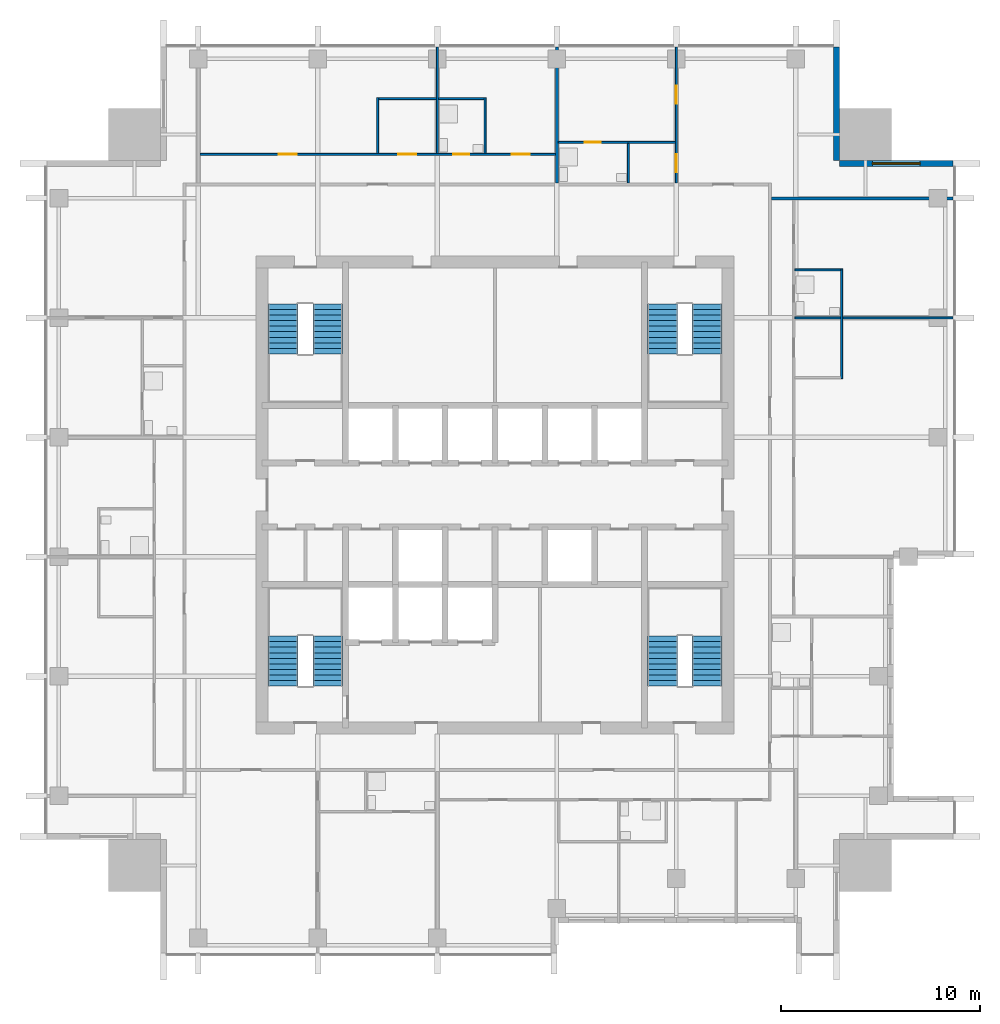
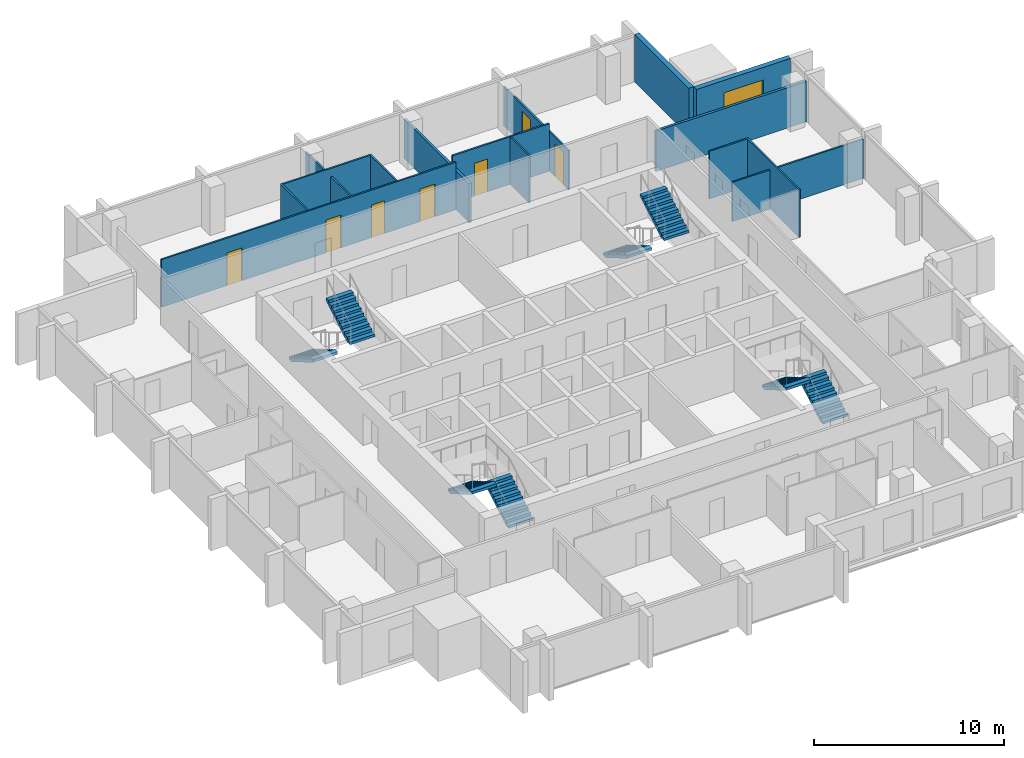
# One storey, part 7 of 9: 15 walls, 8 stair flights, 7 doors, 1 window, 8 openings, 4 elements without a shape of their own.
"""IFC4 building model written with IfcOpenShell, lengths in metres."""

from ifc_helpers import new_model, si_unit, direction, frame, frame_2d, origin, place, context, subcontext, project, spatial, polyline, rectangle, outline, extrude, material, layer, layer_set, type_object, element, fill, aggregate, save


model = new_model("IFC4")

# Units and contexts
model_context = context("Model", 3, precision=1e-05, world=origin(), true_north=direction((0.0, 1.0)))
body_context = subcontext(model_context, "Body", "Model", "MODEL_VIEW")
ifc_project = project(units=[si_unit("LENGTHUNIT", "METRE"), si_unit("AREAUNIT", "SQUARE_METRE"), si_unit("VOLUMEUNIT", "CUBIC_METRE"), si_unit("PLANEANGLEUNIT", "RADIAN"), si_unit("MASSUNIT", "GRAM", prefix="KILO")], contexts=[model_context])

# Site, building, storey
site_placement = place(None, origin())
site = spatial("IfcSite", under=ifc_project, at=site_placement, CompositionType="ELEMENT")
building_placement = place(site_placement, origin())
building = spatial("IfcBuilding", under=site, at=building_placement, Name="Amberfall Residences", CompositionType="ELEMENT")
storey_placement = place(building_placement, frame((0.0, 0.0, 210.10009765625)))
storey = spatial("IfcBuildingStorey", under=building, at=storey_placement, Name="L56", CompositionType="ELEMENT", Elevation=210.10009765625)

# Wall, opening, window
ifc_material_1 = material(Name="Pale stone cladding on insulated backing", Category="masonry")
ifc_layer_1 = layer(ifc_material_1, 0.300048828125)
ifc_layer_set_1 = layer_set([ifc_layer_1], Name="Bronze clad wall 300")
wall_type_1 = type_object("IfcWallType", Name="Bronze clad wall 300", PredefinedType="SOLIDWALL", material=ifc_layer_set_1)
wall_1_placement = place(storey_placement, frame((97.5, 62.14990234375, 0.0), z_axis=(0.0, 0.0, 1.0), x_axis=(-1.0, 0.0, 0.0)))
wall_1 = element("IfcWall", 1, at=wall_1_placement, inside=storey, type_object=wall_type_1, Name="External wall L56 NE", PredefinedType="SOLIDWALL", context=body_context, shape_type="SweptSolid", body=[
    extrude(rectangle(XDim=5.699951171875, YDim=0.300048828125, at=frame_2d((2.85009765625, 0.0))), origin(), (0.0, 0.0, 1.0), 3.0498046875),
])
opening_1_placement = place(wall_1_placement, frame((1.64990234375, 0.0, 0.14990234375)))
opening_1 = element("IfcOpeningElement", 2, at=opening_1_placement, cuts=wall_1, Name="Opening WN5", PredefinedType="OPENING", context=body_context, shape_type="SweptSolid", body=[
    extrude(rectangle(XDim=2.39990234375, YDim=2.10009765625, at=frame_2d((1.199951171875, 1.050048828125))), frame((0.0, 0.159912109375, 0.0), z_axis=(0.0, -1.0, 0.0), x_axis=(1.0, 0.0, 0.0)), (0.0, 0.0, 1.0), 0.320068359375),
])
ifc_material_2 = material(Name="Bronze aluminium framed glazing", Category="aluminium")
window_type = type_object("IfcWindowType", Name="Glazed opening 2400 x 2100 bronze", PartitioningType="DOUBLE_PANEL_VERTICAL", PredefinedType="WINDOW", material=ifc_material_2)
window_placement = place(opening_1_placement, origin())
window = element("IfcWindow", 3, at=window_placement, inside=storey, type_object=window_type, Name="Window L56 NE", OverallHeight=2.10009765625, OverallWidth=2.39990234375, PartitioningType="DOUBLE_PANEL_VERTICAL", PredefinedType="WINDOW", context=body_context, shape_type="SweptSolid", body=[
    extrude(rectangle(XDim=2.39990234375, YDim=2.10009765625, at=frame_2d((1.199951171875, 1.050048828125))), frame((0.0, 0.030029296875, 0.0), z_axis=(0.0, -1.0, 0.0), x_axis=(1.0, 0.0, 0.0)), (0.0, 0.0, 1.0), 0.06005859375),
])
fill(opening_1, window)

# Walls
wall_2_placement = place(storey_placement, frame((91.64990234375, 62.300048828125, 0.0), z_axis=(0.0, 0.0, 1.0), x_axis=(0.0, 1.0, 0.0)))
element("IfcWall", 4, at=wall_2_placement, inside=storey, type_object=wall_type_1, Name="External wall L56 NE", PredefinedType="SOLIDWALL", context=body_context, shape_type="SweptSolid", body=[
    extrude(rectangle(XDim=5.699951171875, YDim=0.300048828125, at=frame_2d((2.85009765625, 0.0))), origin(), (0.0, 0.0, 1.0), 3.0498046875),
])
ifc_material_3 = material(Name="Gypsum board on metal stud")
ifc_layer_2 = layer(ifc_material_3, 0.10009765625)
ifc_layer_set_2 = layer_set([ifc_layer_2], Name="Flat partition 100")
wall_type_2 = type_object("IfcWallType", Name="Flat partition 100", PredefinedType="PARTITIONING", material=ifc_layer_set_2)
wall_3_placement = place(storey_placement, frame((68.60009765625, 62.64990234375, 0.0), z_axis=(0.0, 0.0, 1.0), x_axis=(0.0, 1.0, 0.0)))
element("IfcWall", 5, at=wall_3_placement, inside=storey, type_object=wall_type_2, Name="Partition 006", PredefinedType="PARTITIONING", context=body_context, shape_type="SweptSolid", body=[
    extrude(rectangle(XDim=2.800048828125, YDim=0.10009765625, at=frame_2d((1.39990234375, 0.0))), origin(), (0.0, 0.0, 1.0), 3.0498046875),
])
wall_4_placement = place(storey_placement, frame((71.60009765625, 62.64990234375, 0.0), z_axis=(0.0, 0.0, 1.0), x_axis=(0.0, 1.0, 0.0)))
element("IfcWall", 6, at=wall_4_placement, inside=storey, type_object=wall_type_2, Name="Partition 007", PredefinedType="PARTITIONING", context=body_context, shape_type="SweptSolid", body=[
    extrude(rectangle(XDim=5.35009765625, YDim=0.10009765625, at=frame_2d((2.675048828125, 0.0))), origin(), (0.0, 0.0, 1.0), 2.515869140625),
])
wall_5_placement = place(storey_placement, frame((74.0, 62.64990234375, 0.0), z_axis=(0.0, 0.0, 1.0), x_axis=(0.0, 1.0, 0.0)))
element("IfcWall", 7, at=wall_5_placement, inside=storey, type_object=wall_type_2, Name="Partition 008", PredefinedType="PARTITIONING", context=body_context, shape_type="SweptSolid", body=[
    extrude(rectangle(XDim=2.800048828125, YDim=0.10009765625, at=frame_2d((1.39990234375, 0.0))), origin(), (0.0, 0.0, 1.0), 3.0498046875),
])
wall_6_placement = place(storey_placement, frame((81.199951171875, 61.175048828125, 0.0), z_axis=(0.0, 0.0, 1.0), x_axis=(0.0, 1.0, 0.0)))
element("IfcWall", 8, at=wall_6_placement, inside=storey, type_object=wall_type_2, Name="Partition 011", PredefinedType="PARTITIONING", context=body_context, shape_type="SweptSolid", body=[
    extrude(rectangle(XDim=1.974853515625, YDim=0.10009765625, at=frame_2d((0.9873046875, 0.0))), origin(), (0.0, 0.0, 1.0), 3.0498046875),
])

# Wall, openings, doors
wall_7_placement = place(storey_placement, frame((83.60009765625, 61.175048828125, 0.0), z_axis=(0.0, 0.0, 1.0), x_axis=(0.0, 1.0, 0.0)))
wall_7 = element("IfcWall", 9, at=wall_7_placement, inside=storey, type_object=wall_type_2, Name="Partition 013", PredefinedType="PARTITIONING", context=body_context, shape_type="SweptSolid", body=[
    extrude(rectangle(XDim=6.824951171875, YDim=0.10009765625, at=frame_2d((3.41259765625, 0.0))), origin(), (0.0, 0.0, 1.0), 2.515869140625),
])
opening_2_placement = place(wall_7_placement, frame((0.52490234375, 0.0, 0.0)))
opening_2 = element("IfcOpeningElement", 10, at=opening_2_placement, cuts=wall_7, Name="Opening D41", PredefinedType="OPENING", context=body_context, shape_type="SweptSolid", body=[
    extrude(rectangle(XDim=0.89990234375, YDim=2.10009765625, at=frame_2d((0.449951171875, 1.050048828125))), frame((0.0, 0.06005859375, 0.0), z_axis=(0.0, -1.0, 0.0), x_axis=(1.0, 0.0, 0.0)), (0.0, 0.0, 1.0), 0.1201171875),
])
opening_3_placement = place(wall_7_placement, frame((3.97509765625, 0.0, 0.0)))
opening_3 = element("IfcOpeningElement", 11, at=opening_3_placement, cuts=wall_7, Name="Opening D41", PredefinedType="OPENING", context=body_context, shape_type="SweptSolid", body=[
    extrude(rectangle(XDim=0.89990234375, YDim=2.10009765625, at=frame_2d((0.449951171875, 1.050048828125))), frame((0.0, 0.06005859375, 0.0), z_axis=(0.0, -1.0, 0.0), x_axis=(1.0, 0.0, 0.0)), (0.0, 0.0, 1.0), 0.1201171875),
])
ifc_material_4 = material(Name="Timber", Category="wood")
door_type_1 = type_object("IfcDoorType", Name="Internal door 900 x 2100", OperationType="SINGLE_SWING_LEFT", PredefinedType="DOOR", material=ifc_material_4)
door_1_placement = place(opening_2_placement, origin())
door_1 = element("IfcDoor", 12, at=door_1_placement, inside=storey, type_object=door_type_1, Name="Door 5606 kitchen", OperationType="SINGLE_SWING_LEFT", OverallHeight=2.10009765625, OverallWidth=0.89990234375, PredefinedType="DOOR", context=body_context, shape_type="SweptSolid", body=[
    extrude(rectangle(XDim=0.89990234375, YDim=2.10009765625, at=frame_2d((0.449951171875, 1.050048828125))), frame((0.0, 0.02490234375, 0.0), z_axis=(0.0, -1.0, 0.0), x_axis=(1.0, 0.0, 0.0)), (0.0, 0.0, 1.0), 0.050048828125),
])
fill(opening_2, door_1)
door_2_placement = place(opening_3_placement, origin())
door_2 = element("IfcDoor", 13, at=door_2_placement, inside=storey, type_object=door_type_1, Name="Door 5606 bedroom1", OperationType="SINGLE_SWING_LEFT", OverallHeight=2.10009765625, OverallWidth=0.89990234375, PredefinedType="DOOR", context=body_context, shape_type="SweptSolid", body=[
    extrude(rectangle(XDim=0.89990234375, YDim=2.10009765625, at=frame_2d((0.449951171875, 1.050048828125))), frame((0.0, 0.02490234375, 0.0), z_axis=(0.0, -1.0, 0.0), x_axis=(1.0, 0.0, 0.0)), (0.0, 0.0, 1.0), 0.050048828125),
])
fill(opening_3, door_2)

# Walls
wall_8_placement = place(storey_placement, frame((91.89990234375, 51.35009765625, 0.0), z_axis=(0.0, 0.0, 1.0), x_axis=(0.0, 1.0, 0.0)))
element("IfcWall", 14, at=wall_8_placement, inside=storey, type_object=wall_type_2, Name="Partition 018", PredefinedType="PARTITIONING", context=body_context, shape_type="SweptSolid", body=[
    extrude(rectangle(XDim=5.5, YDim=0.10009765625, at=frame_2d((2.75, 0.0))), origin(), (0.0, 0.0, 1.0), 3.0498046875),
])
wall_9_placement = place(storey_placement, frame((68.64990234375, 65.39990234375, 0.0), z_axis=(0.0, 0.0, 1.0), x_axis=(1.0, 0.0, 0.0)))
element("IfcWall", 15, at=wall_9_placement, inside=storey, type_object=wall_type_2, Name="Partition 019", PredefinedType="PARTITIONING", context=body_context, shape_type="SweptSolid", body=[
    extrude(rectangle(XDim=5.300048828125, YDim=0.10009765625, at=frame_2d((2.64990234375, 0.0))), origin(), (0.0, 0.0, 1.0), 3.0498046875),
])

# Wall, opening, door
wall_10_placement = place(storey_placement, frame((83.550048828125, 63.199951171875, 0.0), z_axis=(0.0, 0.0, 1.0), x_axis=(-1.0, 0.0, 0.0)))
wall_10 = element("IfcWall", 16, at=wall_10_placement, inside=storey, type_object=wall_type_2, Name="Partition 020", PredefinedType="PARTITIONING", context=body_context, shape_type="SweptSolid", body=[
    extrude(rectangle(XDim=5.875, YDim=0.10009765625, at=frame_2d((2.9375, 0.0))), origin(), (0.0, 0.0, 1.0), 3.0498046875),
])
opening_4_placement = place(wall_10_placement, frame((3.75, 0.0, 0.0)))
opening_4 = element("IfcOpeningElement", 17, at=opening_4_placement, cuts=wall_10, Name="Opening D42", PredefinedType="OPENING", context=body_context, shape_type="SweptSolid", body=[
    extrude(rectangle(XDim=0.800048828125, YDim=2.10009765625, at=frame_2d((0.39990234375, 1.050048828125))), frame((0.0, 0.06005859375, 0.0), z_axis=(0.0, -1.0, 0.0), x_axis=(1.0, 0.0, 0.0)), (0.0, 0.0, 1.0), 0.1201171875),
])
door_type_2 = type_object("IfcDoorType", Name="Bathroom door 800 x 2100", OperationType="SINGLE_SWING_LEFT", PredefinedType="DOOR", material=ifc_material_4)
door_3_placement = place(opening_4_placement, origin())
door_3 = element("IfcDoor", 18, at=door_3_placement, inside=storey, type_object=door_type_2, Name="Door 5606 bath1", OperationType="SINGLE_SWING_LEFT", OverallHeight=2.10009765625, OverallWidth=0.800048828125, PredefinedType="DOOR", context=body_context, shape_type="SweptSolid", body=[
    extrude(rectangle(XDim=0.800048828125, YDim=2.10009765625, at=frame_2d((0.39990234375, 1.050048828125))), frame((0.0, 0.02490234375, 0.0), z_axis=(0.0, -1.0, 0.0), x_axis=(1.0, 0.0, 0.0)), (0.0, 0.0, 1.0), 0.050048828125),
])
fill(opening_4, door_3)

# Wall, openings, doors
wall_11_placement = place(storey_placement, frame((59.675048828125, 62.60009765625, 0.0), z_axis=(0.0, 0.0, 1.0), x_axis=(1.0, 0.0, 0.0)))
wall_11 = element("IfcWall", 19, at=wall_11_placement, inside=storey, type_object=wall_type_2, Name="Partition 021", PredefinedType="PARTITIONING", context=body_context, shape_type="SweptSolid", body=[
    extrude(rectangle(XDim=17.849853515625, YDim=0.10009765625, at=frame_2d((8.9248046875, 0.0))), origin(), (0.0, 0.0, 1.0), 3.0498046875),
])
opening_5_placement = place(wall_11_placement, frame((3.97509765625, 0.0, 0.0)))
opening_5 = element("IfcOpeningElement", 20, at=opening_5_placement, cuts=wall_11, Name="Opening D41", PredefinedType="OPENING", context=body_context, shape_type="SweptSolid", body=[
    extrude(rectangle(XDim=0.89990234375, YDim=2.10009765625, at=frame_2d((0.449951171875, 1.050048828125))), frame((0.0, 0.06005859375, 0.0), z_axis=(0.0, -1.0, 0.0), x_axis=(1.0, 0.0, 0.0)), (0.0, 0.0, 1.0), 0.1201171875),
])
opening_6_placement = place(wall_11_placement, frame((9.97509765625, 0.0, 0.0)))
opening_6 = element("IfcOpeningElement", 21, at=opening_6_placement, cuts=wall_11, Name="Opening D41", PredefinedType="OPENING", context=body_context, shape_type="SweptSolid", body=[
    extrude(rectangle(XDim=0.89990234375, YDim=2.10009765625, at=frame_2d((0.449951171875, 1.050048828125))), frame((0.0, 0.06005859375, 0.0), z_axis=(0.0, -1.0, 0.0), x_axis=(1.0, 0.0, 0.0)), (0.0, 0.0, 1.0), 0.1201171875),
])
opening_7_placement = place(wall_11_placement, frame((15.675048828125, 0.0, 0.0)))
opening_7 = element("IfcOpeningElement", 22, at=opening_7_placement, cuts=wall_11, Name="Opening D41", PredefinedType="OPENING", context=body_context, shape_type="SweptSolid", body=[
    extrude(rectangle(XDim=0.89990234375, YDim=2.10009765625, at=frame_2d((0.449951171875, 1.050048828125))), frame((0.0, 0.06005859375, 0.0), z_axis=(0.0, -1.0, 0.0), x_axis=(1.0, 0.0, 0.0)), (0.0, 0.0, 1.0), 0.1201171875),
])
opening_8_placement = place(wall_11_placement, frame((12.72509765625, 0.0, 0.0)))
opening_8 = element("IfcOpeningElement", 23, at=opening_8_placement, cuts=wall_11, Name="Opening D42", PredefinedType="OPENING", context=body_context, shape_type="SweptSolid", body=[
    extrude(rectangle(XDim=0.800048828125, YDim=2.10009765625, at=frame_2d((0.39990234375, 1.050048828125))), frame((0.0, 0.06005859375, 0.0), z_axis=(0.0, -1.0, 0.0), x_axis=(1.0, 0.0, 0.0)), (0.0, 0.0, 1.0), 0.1201171875),
])
door_4_placement = place(opening_8_placement, origin())
door_4 = element("IfcDoor", 24, at=door_4_placement, inside=storey, type_object=door_type_2, Name="Door 5605 bath1", OperationType="SINGLE_SWING_LEFT", OverallHeight=2.10009765625, OverallWidth=0.800048828125, PredefinedType="DOOR", context=body_context, shape_type="SweptSolid", body=[
    extrude(rectangle(XDim=0.800048828125, YDim=2.10009765625, at=frame_2d((0.39990234375, 1.050048828125))), frame((0.0, 0.02490234375, 0.0), z_axis=(0.0, -1.0, 0.0), x_axis=(1.0, 0.0, 0.0)), (0.0, 0.0, 1.0), 0.050048828125),
])
fill(opening_8, door_4)
door_5_placement = place(opening_5_placement, origin())
door_5 = element("IfcDoor", 25, at=door_5_placement, inside=storey, type_object=door_type_1, Name="Door 5605 living", OperationType="SINGLE_SWING_LEFT", OverallHeight=2.10009765625, OverallWidth=0.89990234375, PredefinedType="DOOR", context=body_context, shape_type="SweptSolid", body=[
    extrude(rectangle(XDim=0.89990234375, YDim=2.10009765625, at=frame_2d((0.449951171875, 1.050048828125))), frame((0.0, 0.02490234375, 0.0), z_axis=(0.0, -1.0, 0.0), x_axis=(1.0, 0.0, 0.0)), (0.0, 0.0, 1.0), 0.050048828125),
])
fill(opening_5, door_5)
door_6_placement = place(opening_6_placement, origin())
door_6 = element("IfcDoor", 26, at=door_6_placement, inside=storey, type_object=door_type_1, Name="Door 5605 kitchen", OperationType="SINGLE_SWING_LEFT", OverallHeight=2.10009765625, OverallWidth=0.89990234375, PredefinedType="DOOR", context=body_context, shape_type="SweptSolid", body=[
    extrude(rectangle(XDim=0.89990234375, YDim=2.10009765625, at=frame_2d((0.449951171875, 1.050048828125))), frame((0.0, 0.02490234375, 0.0), z_axis=(0.0, -1.0, 0.0), x_axis=(1.0, 0.0, 0.0)), (0.0, 0.0, 1.0), 0.050048828125),
])
fill(opening_6, door_6)
door_7_placement = place(opening_7_placement, origin())
door_7 = element("IfcDoor", 27, at=door_7_placement, inside=storey, type_object=door_type_1, Name="Door 5605 bedroom1", OperationType="SINGLE_SWING_LEFT", OverallHeight=2.10009765625, OverallWidth=0.89990234375, PredefinedType="DOOR", context=body_context, shape_type="SweptSolid", body=[
    extrude(rectangle(XDim=0.89990234375, YDim=2.10009765625, at=frame_2d((0.449951171875, 1.050048828125))), frame((0.0, 0.02490234375, 0.0), z_axis=(0.0, -1.0, 0.0), x_axis=(1.0, 0.0, 0.0)), (0.0, 0.0, 1.0), 0.050048828125),
])
fill(opening_7, door_7)

# Walls
wall_12_placement = place(storey_placement, frame((89.550048828125, 56.800048828125, 0.0), z_axis=(0.0, 0.0, 1.0), x_axis=(1.0, 0.0, 0.0)))
element("IfcWall", 28, at=wall_12_placement, inside=storey, type_object=wall_type_2, Name="Partition 022", PredefinedType="PARTITIONING", context=body_context, shape_type="SweptSolid", body=[
    extrude(rectangle(XDim=2.300048828125, YDim=0.10009765625, at=frame_2d((1.14990234375, 0.0))), origin(), (0.0, 0.0, 1.0), 3.0498046875),
])
wall_13_placement = place(storey_placement, frame((89.550048828125, 54.39990234375, 0.0), z_axis=(0.0, 0.0, 1.0), x_axis=(1.0, 0.0, 0.0)))
element("IfcWall", 29, at=wall_13_placement, inside=storey, type_object=wall_type_2, Name="Partition 024", PredefinedType="PARTITIONING", context=body_context, shape_type="SweptSolid", body=[
    extrude(rectangle(XDim=7.949951171875, YDim=0.10009765625, at=frame_2d((3.97509765625, 0.0))), origin(), (0.0, 0.0, 1.0), 2.515869140625),
])
ifc_material_5 = material(Name="Blockwork, plastered", Category="masonry")
ifc_layer_3 = layer(ifc_material_5, 0.14990234375)
ifc_layer_set_3 = layer_set([ifc_layer_3], Name="Flat separating wall 150")
wall_type_3 = type_object("IfcWallType", Name="Flat separating wall 150", PredefinedType="PARTITIONING", material=ifc_layer_set_3)
wall_14_placement = place(storey_placement, frame((77.60009765625, 61.175048828125, 0.0), z_axis=(0.0, 0.0, 1.0), x_axis=(0.0, 1.0, 0.0)))
element("IfcWall", 30, at=wall_14_placement, inside=storey, type_object=wall_type_3, Name="Separating wall 040", PredefinedType="PARTITIONING", context=body_context, shape_type="SweptSolid", body=[
    extrude(rectangle(XDim=6.824951171875, YDim=0.14990234375, at=frame_2d((3.41259765625, 0.0))), origin(), (0.0, 0.0, 1.0), 2.515869140625),
])
wall_15_placement = place(storey_placement, frame((88.375, 60.39990234375, 0.0), z_axis=(0.0, 0.0, 1.0), x_axis=(1.0, 0.0, 0.0)))
element("IfcWall", 31, at=wall_15_placement, inside=storey, type_object=wall_type_3, Name="Separating wall 044", PredefinedType="PARTITIONING", context=body_context, shape_type="SweptSolid", body=[
    extrude(rectangle(XDim=9.125, YDim=0.14990234375, at=frame_2d((4.5625, 0.0))), origin(), (0.0, 0.0, 1.0), 2.58984375),
])

# Stair, stair flights
ifc_material_6 = material(Name="Concrete C40", Category="concrete")
stair_type = type_object("IfcStairType", Name="Exit stair 20 risers 165.0 mm", PredefinedType="HALF_TURN_STAIR", material=ifc_material_6)
stair_1_placement = place(storey_placement, origin())
stair_1 = element("IfcStair", 32, at=stair_1_placement, inside=storey, type_object=stair_type, Name="L56 Exit stair 1", PredefinedType="HALF_TURN_STAIR")
stair_flight_type = type_object("IfcStairFlightType", Name="Stair flight 10 risers 165.0 mm", PredefinedType="STRAIGHT", material=ifc_material_6)
stair_flight_1_placement = place(storey_placement, frame((66.10009765625, 35.89990234375, 0.0), z_axis=(0.0, 0.0, 1.0), x_axis=(0.0, 1.0, 0.0)))
stair_flight_1 = element("IfcStairFlight", 33, at=stair_flight_1_placement, type_object=stair_flight_type, Name="ST3 flight 1", NumberOfRisers=10, NumberOfTreads=9, PredefinedType="STRAIGHT", RiserHeight=0.165, TreadLength=0.28, context=body_context, shape_type="SweptSolid", body=[
    extrude(outline(polyline([(0.0, 0.0), (0.0, 0.1650390625), (0.280029296875, 0.1650390625), (0.280029296875, 0.330078125), (0.56005859375, 0.330078125), (0.56005859375, 0.4951171875), (0.840087890625, 0.4951171875), (0.840087890625, 0.659912109375), (1.1201171875, 0.659912109375), (1.1201171875, 0.824951171875), (1.39990234375, 0.824951171875), (1.39990234375, 0.989990234375), (1.679931640625, 0.989990234375), (1.679931640625, 1.155029296875), (1.9599609375, 1.155029296875), (1.9599609375, 1.320068359375), (2.239990234375, 1.320068359375), (2.239990234375, 1.485107421875), (2.52001953125, 1.485107421875), (2.52001953125, 1.64990234375), (2.52001953125, 1.31103515625), (0.295166015625, 0.0), (0.0, 0.0)])), frame((0.0, 0.75, 0.0), z_axis=(0.0, -1.0, 0.0), x_axis=(1.0, 0.0, 0.0)), (0.0, 0.0, 1.0), 1.5),
])
stair_flight_2_placement = place(storey_placement, frame((63.85009765625, 38.419921875, 1.64990234375), z_axis=(0.0, 0.0, 1.0), x_axis=(0.0, -1.0, 0.0)))
stair_flight_2 = element("IfcStairFlight", 34, at=stair_flight_2_placement, type_object=stair_flight_type, Name="ST3 flight 2", NumberOfRisers=10, NumberOfTreads=9, PredefinedType="STRAIGHT", RiserHeight=0.165, TreadLength=0.28, context=body_context, shape_type="SweptSolid", body=[
    extrude(outline(polyline([(0.0, 0.0), (0.0, 0.1650390625), (0.280029296875, 0.1650390625), (0.280029296875, 0.330078125), (0.56005859375, 0.330078125), (0.56005859375, 0.4951171875), (0.840087890625, 0.4951171875), (0.840087890625, 0.659912109375), (1.1201171875, 0.659912109375), (1.1201171875, 0.824951171875), (1.39990234375, 0.824951171875), (1.39990234375, 0.989990234375), (1.679931640625, 0.989990234375), (1.679931640625, 1.155029296875), (1.9599609375, 1.155029296875), (1.9599609375, 1.320068359375), (2.239990234375, 1.320068359375), (2.239990234375, 1.485107421875), (2.52001953125, 1.485107421875), (2.52001953125, 1.64990234375), (2.52001953125, 1.31103515625), (0.295166015625, 0.0), (0.0, 0.0)])), frame((0.0, 0.75, 0.0), z_axis=(0.0, -1.0, 0.0), x_axis=(1.0, 0.0, 0.0)), (0.0, 0.0, 1.0), 1.5),
])
aggregate(stair_1, [stair_flight_1, stair_flight_2])

stair_2_placement = place(storey_placement, origin())
stair_2 = element("IfcStair", 35, at=stair_2_placement, inside=storey, type_object=stair_type, Name="L56 Exit stair 2", PredefinedType="HALF_TURN_STAIR")
stair_flight_3_placement = place(storey_placement, frame((85.14990234375, 35.89990234375, 0.0), z_axis=(0.0, 0.0, 1.0), x_axis=(0.0, 1.0, 0.0)))
stair_flight_3 = element("IfcStairFlight", 36, at=stair_flight_3_placement, type_object=stair_flight_type, Name="ST3 flight 1", NumberOfRisers=10, NumberOfTreads=9, PredefinedType="STRAIGHT", RiserHeight=0.165, TreadLength=0.28, context=body_context, shape_type="SweptSolid", body=[
    extrude(outline(polyline([(0.0, 0.0), (0.0, 0.1650390625), (0.280029296875, 0.1650390625), (0.280029296875, 0.330078125), (0.56005859375, 0.330078125), (0.56005859375, 0.4951171875), (0.840087890625, 0.4951171875), (0.840087890625, 0.659912109375), (1.1201171875, 0.659912109375), (1.1201171875, 0.824951171875), (1.39990234375, 0.824951171875), (1.39990234375, 0.989990234375), (1.679931640625, 0.989990234375), (1.679931640625, 1.155029296875), (1.9599609375, 1.155029296875), (1.9599609375, 1.320068359375), (2.239990234375, 1.320068359375), (2.239990234375, 1.485107421875), (2.52001953125, 1.485107421875), (2.52001953125, 1.64990234375), (2.52001953125, 1.31103515625), (0.295166015625, 0.0), (0.0, 0.0)])), frame((0.0, 0.75, 0.0), z_axis=(0.0, -1.0, 0.0), x_axis=(1.0, 0.0, 0.0)), (0.0, 0.0, 1.0), 1.5),
])
stair_flight_4_placement = place(storey_placement, frame((82.89990234375, 38.419921875, 1.64990234375), z_axis=(0.0, 0.0, 1.0), x_axis=(0.0, -1.0, 0.0)))
stair_flight_4 = element("IfcStairFlight", 37, at=stair_flight_4_placement, type_object=stair_flight_type, Name="ST3 flight 2", NumberOfRisers=10, NumberOfTreads=9, PredefinedType="STRAIGHT", RiserHeight=0.165, TreadLength=0.28, context=body_context, shape_type="SweptSolid", body=[
    extrude(outline(polyline([(0.0, 0.0), (0.0, 0.1650390625), (0.280029296875, 0.1650390625), (0.280029296875, 0.330078125), (0.56005859375, 0.330078125), (0.56005859375, 0.4951171875), (0.840087890625, 0.4951171875), (0.840087890625, 0.659912109375), (1.1201171875, 0.659912109375), (1.1201171875, 0.824951171875), (1.39990234375, 0.824951171875), (1.39990234375, 0.989990234375), (1.679931640625, 0.989990234375), (1.679931640625, 1.155029296875), (1.9599609375, 1.155029296875), (1.9599609375, 1.320068359375), (2.239990234375, 1.320068359375), (2.239990234375, 1.485107421875), (2.52001953125, 1.485107421875), (2.52001953125, 1.64990234375), (2.52001953125, 1.31103515625), (0.295166015625, 0.0), (0.0, 0.0)])), frame((0.0, 0.75, 0.0), z_axis=(0.0, -1.0, 0.0), x_axis=(1.0, 0.0, 0.0)), (0.0, 0.0, 1.0), 1.5),
])
aggregate(stair_2, [stair_flight_3, stair_flight_4])

stair_3_placement = place(storey_placement, origin())
stair_3 = element("IfcStair", 38, at=stair_3_placement, inside=storey, type_object=stair_type, Name="L56 Exit stair 3", PredefinedType="HALF_TURN_STAIR")
stair_flight_5_placement = place(storey_placement, frame((82.89990234375, 55.10009765625, 0.0), z_axis=(0.0, 0.0, 1.0), x_axis=(0.0, -1.0, 0.0)))
stair_flight_5 = element("IfcStairFlight", 39, at=stair_flight_5_placement, type_object=stair_flight_type, Name="ST3 flight 1", NumberOfRisers=10, NumberOfTreads=9, PredefinedType="STRAIGHT", RiserHeight=0.165, TreadLength=0.28, context=body_context, shape_type="SweptSolid", body=[
    extrude(outline(polyline([(0.0, 0.0), (0.0, 0.1650390625), (0.280029296875, 0.1650390625), (0.280029296875, 0.330078125), (0.56005859375, 0.330078125), (0.56005859375, 0.4951171875), (0.840087890625, 0.4951171875), (0.840087890625, 0.659912109375), (1.1201171875, 0.659912109375), (1.1201171875, 0.824951171875), (1.39990234375, 0.824951171875), (1.39990234375, 0.989990234375), (1.679931640625, 0.989990234375), (1.679931640625, 1.155029296875), (1.9599609375, 1.155029296875), (1.9599609375, 1.320068359375), (2.239990234375, 1.320068359375), (2.239990234375, 1.485107421875), (2.52001953125, 1.485107421875), (2.52001953125, 1.64990234375), (2.52001953125, 1.31103515625), (0.295166015625, 0.0), (0.0, 0.0)])), frame((0.0, 0.75, 0.0), z_axis=(0.0, -1.0, 0.0), x_axis=(1.0, 0.0, 0.0)), (0.0, 0.0, 1.0), 1.5),
])
stair_flight_6_placement = place(storey_placement, frame((85.14990234375, 52.580078125, 1.64990234375), z_axis=(0.0, 0.0, 1.0), x_axis=(0.0, 1.0, 0.0)))
stair_flight_6 = element("IfcStairFlight", 40, at=stair_flight_6_placement, type_object=stair_flight_type, Name="ST3 flight 2", NumberOfRisers=10, NumberOfTreads=9, PredefinedType="STRAIGHT", RiserHeight=0.165, TreadLength=0.28, context=body_context, shape_type="SweptSolid", body=[
    extrude(outline(polyline([(0.0, 0.0), (0.0, 0.1650390625), (0.280029296875, 0.1650390625), (0.280029296875, 0.330078125), (0.56005859375, 0.330078125), (0.56005859375, 0.4951171875), (0.840087890625, 0.4951171875), (0.840087890625, 0.659912109375), (1.1201171875, 0.659912109375), (1.1201171875, 0.824951171875), (1.39990234375, 0.824951171875), (1.39990234375, 0.989990234375), (1.679931640625, 0.989990234375), (1.679931640625, 1.155029296875), (1.9599609375, 1.155029296875), (1.9599609375, 1.320068359375), (2.239990234375, 1.320068359375), (2.239990234375, 1.485107421875), (2.52001953125, 1.485107421875), (2.52001953125, 1.64990234375), (2.52001953125, 1.31103515625), (0.295166015625, 0.0), (0.0, 0.0)])), frame((0.0, 0.75, 0.0), z_axis=(0.0, -1.0, 0.0), x_axis=(1.0, 0.0, 0.0)), (0.0, 0.0, 1.0), 1.5),
])
aggregate(stair_3, [stair_flight_5, stair_flight_6])

stair_4_placement = place(storey_placement, origin())
stair_4 = element("IfcStair", 41, at=stair_4_placement, inside=storey, type_object=stair_type, Name="L56 Exit stair 4", PredefinedType="HALF_TURN_STAIR")
stair_flight_7_placement = place(storey_placement, frame((63.85009765625, 55.10009765625, 0.0), z_axis=(0.0, 0.0, 1.0), x_axis=(0.0, -1.0, 0.0)))
stair_flight_7 = element("IfcStairFlight", 42, at=stair_flight_7_placement, type_object=stair_flight_type, Name="ST3 flight 1", NumberOfRisers=10, NumberOfTreads=9, PredefinedType="STRAIGHT", RiserHeight=0.165, TreadLength=0.28, context=body_context, shape_type="SweptSolid", body=[
    extrude(outline(polyline([(0.0, 0.0), (0.0, 0.1650390625), (0.280029296875, 0.1650390625), (0.280029296875, 0.330078125), (0.56005859375, 0.330078125), (0.56005859375, 0.4951171875), (0.840087890625, 0.4951171875), (0.840087890625, 0.659912109375), (1.1201171875, 0.659912109375), (1.1201171875, 0.824951171875), (1.39990234375, 0.824951171875), (1.39990234375, 0.989990234375), (1.679931640625, 0.989990234375), (1.679931640625, 1.155029296875), (1.9599609375, 1.155029296875), (1.9599609375, 1.320068359375), (2.239990234375, 1.320068359375), (2.239990234375, 1.485107421875), (2.52001953125, 1.485107421875), (2.52001953125, 1.64990234375), (2.52001953125, 1.31103515625), (0.295166015625, 0.0), (0.0, 0.0)])), frame((0.0, 0.75, 0.0), z_axis=(0.0, -1.0, 0.0), x_axis=(1.0, 0.0, 0.0)), (0.0, 0.0, 1.0), 1.5),
])
stair_flight_8_placement = place(storey_placement, frame((66.10009765625, 52.580078125, 1.64990234375), z_axis=(0.0, 0.0, 1.0), x_axis=(0.0, 1.0, 0.0)))
stair_flight_8 = element("IfcStairFlight", 43, at=stair_flight_8_placement, type_object=stair_flight_type, Name="ST3 flight 2", NumberOfRisers=10, NumberOfTreads=9, PredefinedType="STRAIGHT", RiserHeight=0.165, TreadLength=0.28, context=body_context, shape_type="SweptSolid", body=[
    extrude(outline(polyline([(0.0, 0.0), (0.0, 0.1650390625), (0.280029296875, 0.1650390625), (0.280029296875, 0.330078125), (0.56005859375, 0.330078125), (0.56005859375, 0.4951171875), (0.840087890625, 0.4951171875), (0.840087890625, 0.659912109375), (1.1201171875, 0.659912109375), (1.1201171875, 0.824951171875), (1.39990234375, 0.824951171875), (1.39990234375, 0.989990234375), (1.679931640625, 0.989990234375), (1.679931640625, 1.155029296875), (1.9599609375, 1.155029296875), (1.9599609375, 1.320068359375), (2.239990234375, 1.320068359375), (2.239990234375, 1.485107421875), (2.52001953125, 1.485107421875), (2.52001953125, 1.64990234375), (2.52001953125, 1.31103515625), (0.295166015625, 0.0), (0.0, 0.0)])), frame((0.0, 0.75, 0.0), z_axis=(0.0, -1.0, 0.0), x_axis=(1.0, 0.0, 0.0)), (0.0, 0.0, 1.0), 1.5),
])
aggregate(stair_4, [stair_flight_7, stair_flight_8])

save(model, "model.ifc")
